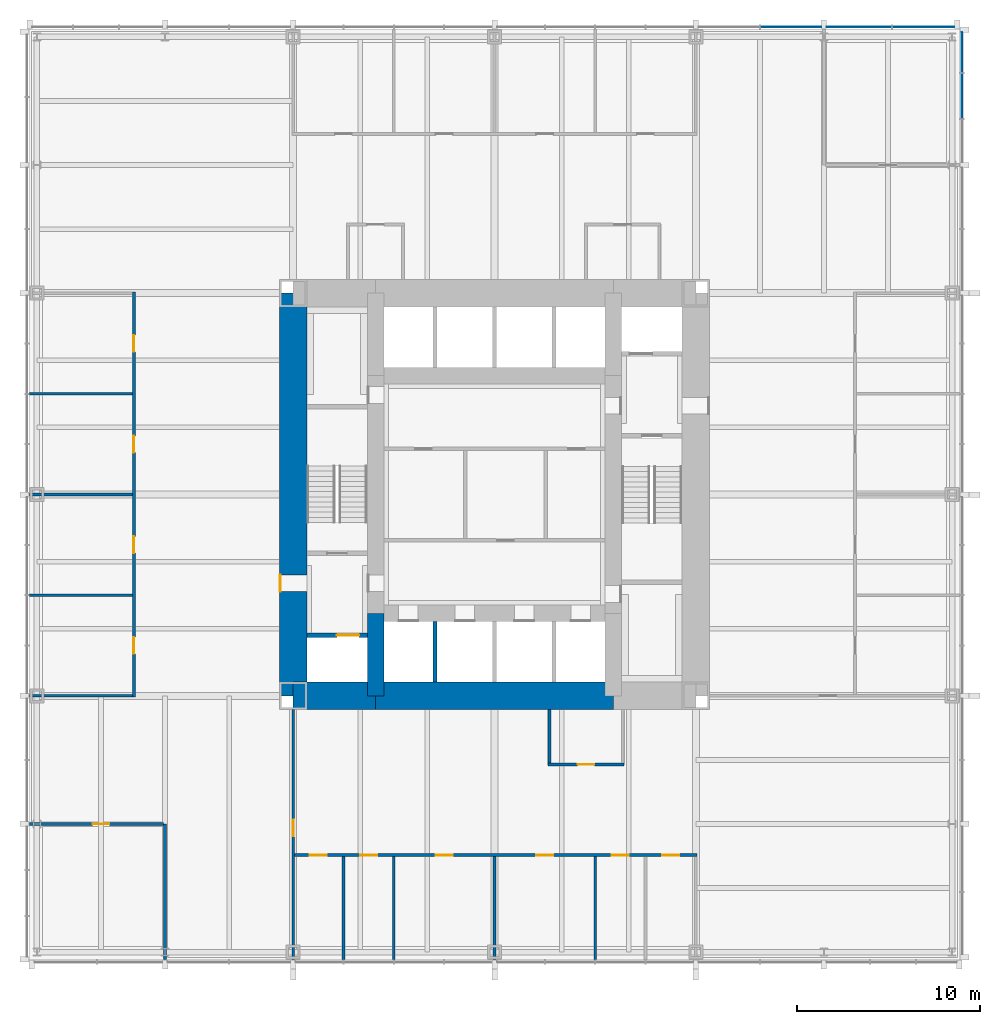
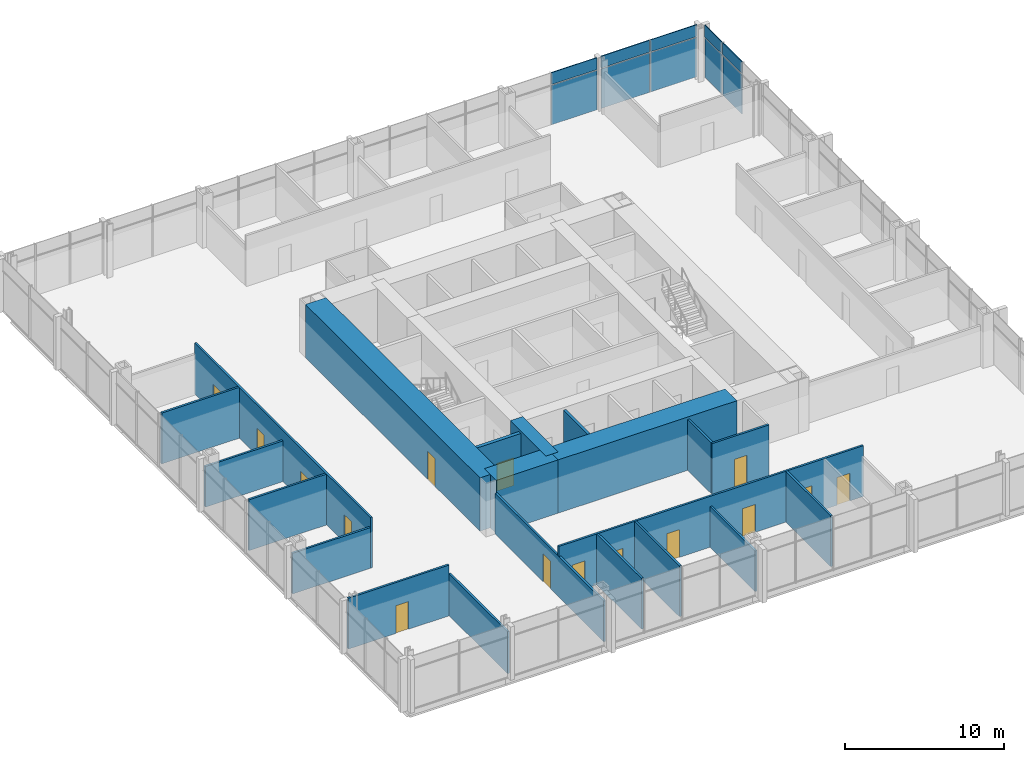
# One storey, part 9 of 12: 21 walls, 15 doors, 10 plates, 15 openings, 2 elements without a shape of their own.
"""IFC4 building model written with IfcOpenShell, lengths in metres."""

from ifc_helpers import new_model, si_unit, direction, frame, frame_2d, origin, origin_2d, place, context, subcontext, project, spatial, rectangle, extrude, material, layer, layer_set, type_object, element, fill, aggregate, save


model = new_model("IFC4")

# Units and contexts
model_context = context("Model", 3, precision=1e-05, world=origin(), true_north=direction((0.0, 1.0)))
body_context = subcontext(model_context, "Body", "Model", "MODEL_VIEW")
ifc_project = project(units=[si_unit("LENGTHUNIT", "METRE"), si_unit("AREAUNIT", "SQUARE_METRE"), si_unit("VOLUMEUNIT", "CUBIC_METRE"), si_unit("PLANEANGLEUNIT", "RADIAN"), si_unit("MASSUNIT", "GRAM", prefix="KILO")], contexts=[model_context])

# Site, building, storey
site_placement = place(None, origin())
site = spatial("IfcSite", under=ifc_project, at=site_placement, CompositionType="ELEMENT")
building_placement = place(site_placement, origin())
building = spatial("IfcBuilding", under=site, at=building_placement, Name="Trevanion Tower", CompositionType="ELEMENT")
storey_placement = place(building_placement, frame((0.0, 0.0, 77.5)))
storey = spatial("IfcBuildingStorey", under=building, at=storey_placement, Name="L18", CompositionType="ELEMENT", Elevation=77.5)

# Curtain wall, plates
ifc_material_1 = material(Name="Aluminium and glass", Category="aluminium")
curtain_wall_type = type_object("IfcCurtainWallType", Name="CW1 curtain wall", PredefinedType="USERDEFINED", material=ifc_material_1)
curtain_wall_1_placement = place(storey_placement, origin())
curtain_wall_1 = element("IfcCurtainWall", 1, at=curtain_wall_1_placement, inside=storey, type_object=curtain_wall_type, Name="CW1 L18 0", ObjectType="UNITISED CURTAIN WALL", PredefinedType="USERDEFINED")
ifc_material_2 = material(Name="Aluminium spandrel panel", Category="aluminium")
ifc_layer_1 = layer(ifc_material_2, 0.06005859375)
ifc_layer_set_1 = layer_set([ifc_layer_1], Name="CW1 spandrel panel")
plate_type_1 = type_object("IfcPlateType", Name="CW1 spandrel panel", PredefinedType="CURTAIN_PANEL", material=ifc_layer_set_1)
plate_1_placement = place(storey_placement, frame((25.550048828125, 21.77490234375, 2.997314453125), z_axis=(0.0, 0.0, 1.0), x_axis=(0.0, 1.0, 0.0)))
plate_1 = element("IfcPlate", 2, at=plate_1_placement, type_object=plate_type_1, Name="CW1 panel 16.2", PredefinedType="CURTAIN_PANEL", context=body_context, shape_type="SweptSolid", body=[
    extrude(rectangle(XDim=2.441650390625, YDim=0.06005859375, at=origin_2d()), origin(), (0.0, 0.0, 1.0), 0.91259765625),
])
plate_2_placement = place(storey_placement, frame((25.550048828125, 24.160400390625, 2.997314453125), z_axis=(0.0, 0.0, 1.0), x_axis=(0.0, 1.0, 0.0)))
plate_2 = element("IfcPlate", 3, at=plate_2_placement, type_object=plate_type_1, Name="CW1 panel 17.2", PredefinedType="CURTAIN_PANEL", context=body_context, shape_type="SweptSolid", body=[
    extrude(rectangle(XDim=2.17919921875, YDim=0.06005859375, at=origin_2d()), origin(), (0.0, 0.0, 1.0), 0.91259765625),
])

curtain_wall_2_placement = place(storey_placement, origin())
curtain_wall_2 = element("IfcCurtainWall", 4, at=curtain_wall_2_placement, inside=storey, type_object=curtain_wall_type, Name="CW1 L18 1", ObjectType="UNITISED CURTAIN WALL", PredefinedType="USERDEFINED")
plate_3_placement = place(storey_placement, frame((23.433837890625, 25.550048828125, 2.997314453125), z_axis=(0.0, 0.0, 1.0), x_axis=(-1.0, 0.0, 0.0)))
plate_3 = element("IfcPlate", 5, at=plate_3_placement, type_object=plate_type_1, Name="CW1 panel 1.2", PredefinedType="CURTAIN_PANEL", context=body_context, shape_type="SweptSolid", body=[
    extrude(rectangle(XDim=3.37255859375, YDim=0.06005859375, at=origin_2d()), origin(), (0.0, 0.0, 1.0), 0.91259765625),
])
plate_4_placement = place(storey_placement, frame((19.911376953125, 25.550048828125, 2.997314453125), z_axis=(0.0, 0.0, 1.0), x_axis=(-1.0, 0.0, 0.0)))
plate_4 = element("IfcPlate", 6, at=plate_4_placement, type_object=plate_type_1, Name="CW1 panel 2.2", PredefinedType="CURTAIN_PANEL", context=body_context, shape_type="SweptSolid", body=[
    extrude(rectangle(XDim=3.5224609375, YDim=0.06005859375, at=origin_2d()), origin(), (0.0, 0.0, 1.0), 0.91259765625),
])
plate_5_placement = place(storey_placement, frame((16.19384765625, 25.550048828125, 2.997314453125), z_axis=(0.0, 0.0, 1.0), x_axis=(-1.0, 0.0, 0.0)))
plate_5 = element("IfcPlate", 7, at=plate_5_placement, type_object=plate_type_1, Name="CW1 panel 3.2", PredefinedType="CURTAIN_PANEL", context=body_context, shape_type="SweptSolid", body=[
    extrude(rectangle(XDim=3.3125, YDim=0.06005859375, at=origin_2d()), origin(), (0.0, 0.0, 1.0), 0.91259765625),
])

# Plate
ifc_material_3 = material(Name="Insulating glass unit", Category="glass")
ifc_layer_2 = layer(ifc_material_3, 0.028076171875)
ifc_layer_set_2 = layer_set([ifc_layer_2], Name="CW1 vision panel")
plate_type_2 = type_object("IfcPlateType", Name="CW1 vision panel", PredefinedType="CURTAIN_PANEL", material=ifc_layer_set_2)
plate_6_placement = place(storey_placement, frame((25.550048828125, 21.77490234375, -0.114990234375), z_axis=(0.0, 0.0, 1.0), x_axis=(0.0, 1.0, 0.0)))
plate_6 = element("IfcPlate", 8, at=plate_6_placement, type_object=plate_type_2, Name="CW1 panel 16.1", PredefinedType="CURTAIN_PANEL", context=body_context, shape_type="SweptSolid", body=[
    extrude(rectangle(XDim=2.441650390625, YDim=0.028076171875, at=origin_2d()), origin(), (0.0, 0.0, 1.0), 3.03759765625),
])

plate_7_placement = place(storey_placement, frame((25.550048828125, 24.160400390625, -0.114990234375), z_axis=(0.0, 0.0, 1.0), x_axis=(0.0, 1.0, 0.0)))
plate_7 = element("IfcPlate", 9, at=plate_7_placement, type_object=plate_type_2, Name="CW1 panel 17.1", PredefinedType="CURTAIN_PANEL", context=body_context, shape_type="SweptSolid", body=[
    extrude(rectangle(XDim=2.17919921875, YDim=0.028076171875, at=origin_2d()), origin(), (0.0, 0.0, 1.0), 3.03759765625),
])

aggregate(curtain_wall_1, [plate_6, plate_1, plate_7, plate_2])

plate_8_placement = place(storey_placement, frame((23.433837890625, 25.550048828125, -0.114990234375), z_axis=(0.0, 0.0, 1.0), x_axis=(-1.0, 0.0, 0.0)))
plate_8 = element("IfcPlate", 10, at=plate_8_placement, type_object=plate_type_2, Name="CW1 panel 1.1", PredefinedType="CURTAIN_PANEL", context=body_context, shape_type="SweptSolid", body=[
    extrude(rectangle(XDim=3.37255859375, YDim=0.028076171875, at=origin_2d()), origin(), (0.0, 0.0, 1.0), 3.03759765625),
])

plate_9_placement = place(storey_placement, frame((19.911376953125, 25.550048828125, -0.114990234375), z_axis=(0.0, 0.0, 1.0), x_axis=(-1.0, 0.0, 0.0)))
plate_9 = element("IfcPlate", 11, at=plate_9_placement, type_object=plate_type_2, Name="CW1 panel 2.1", PredefinedType="CURTAIN_PANEL", context=body_context, shape_type="SweptSolid", body=[
    extrude(rectangle(XDim=3.5224609375, YDim=0.028076171875, at=origin_2d()), origin(), (0.0, 0.0, 1.0), 3.03759765625),
])

plate_10_placement = place(storey_placement, frame((16.19384765625, 25.550048828125, -0.114990234375), z_axis=(0.0, 0.0, 1.0), x_axis=(-1.0, 0.0, 0.0)))
plate_10 = element("IfcPlate", 12, at=plate_10_placement, type_object=plate_type_2, Name="CW1 panel 3.1", PredefinedType="CURTAIN_PANEL", context=body_context, shape_type="SweptSolid", body=[
    extrude(rectangle(XDim=3.3125, YDim=0.028076171875, at=origin_2d()), origin(), (0.0, 0.0, 1.0), 3.03759765625),
])

aggregate(curtain_wall_2, [plate_8, plate_3, plate_9, plate_4, plate_10, plate_5])

# Wall, opening, door
ifc_material_4 = material(Name="Concrete 10,000 psi", Category="concrete")
ifc_layer_3 = layer(ifc_material_4, 1.5)
ifc_layer_set_3 = layer_set([ifc_layer_3], Name="CW1 core wall 1500")
wall_type_1 = type_object("IfcWallType", Name="CW1 core wall 1500", PredefinedType="SHEAR", material=ifc_layer_set_3)
wall_1_placement = place(storey_placement, frame((-11.0, 11.0, 0.0), z_axis=(0.0, 0.0, 1.0), x_axis=(0.0, -1.0, 0.0)))
wall_1 = element("IfcWall", 13, at=wall_1_placement, inside=storey, type_object=wall_type_1, Name="CW1 CW L18", PredefinedType="SHEAR", context=body_context, shape_type="SweptSolid", body=[
    extrude(rectangle(XDim=22.0, YDim=1.5, at=frame_2d((11.0, 0.0))), origin(), (0.0, 0.0, 1.0), 4.10009765625),
])
opening_1_placement = place(wall_1_placement, frame((15.392578125, 0.0, 0.0)))
opening_1 = element("IfcOpeningElement", 14, at=opening_1_placement, cuts=wall_1, Name="Opening 18-002", PredefinedType="OPENING", context=body_context, shape_type="SweptSolid", body=[
    extrude(rectangle(XDim=0.9150390625, YDim=2.134033203125, at=frame_2d((0.45751953125, 1.06689453125))), frame((0.0, 0.760009765625, 0.0), z_axis=(0.0, -1.0, 0.0), x_axis=(1.0, 0.0, 0.0)), (0.0, 0.0, 1.0), 1.52001953125),
])
ifc_material_5 = material(Name="Hollow metal, fire rated", Category="steel")
door_type_1 = type_object("IfcDoorType", Name="D3 fire lift lobby door", OperationType="SINGLE_SWING_RIGHT", PredefinedType="DOOR", material=ifc_material_5)
door_1_placement = place(opening_1_placement, origin())
door_1 = element("IfcDoor", 15, at=door_1_placement, inside=storey, type_object=door_type_1, Name="Door 18-002", OperationType="SINGLE_SWING_RIGHT", OverallHeight=2.134033203125, OverallWidth=0.9150390625, PredefinedType="DOOR", context=body_context, shape_type="SweptSolid", body=[
    extrude(rectangle(XDim=0.9150390625, YDim=2.134033203125, at=frame_2d((0.45751953125, 1.06689453125))), frame((0.0, -0.6748046875, 0.0), z_axis=(0.0, -1.0, 0.0), x_axis=(1.0, 0.0, 0.0)), (0.0, 0.0, 1.0), 0.050048828125),
])
fill(opening_1, door_1)

# Walls
wall_2_placement = place(storey_placement, frame((-11.0, -11.0, 0.0), z_axis=(0.0, 0.0, 1.0), x_axis=(1.0, 0.0, 0.0)))
element("IfcWall", 16, at=wall_2_placement, inside=storey, type_object=wall_type_1, Name="CW1 CS1 L18", PredefinedType="SHEAR", context=body_context, shape_type="SweptSolid", body=[
    extrude(rectangle(XDim=4.5, YDim=1.5, at=frame_2d((2.25, 0.0))), origin(), (0.0, 0.0, 1.0), 4.10009765625),
])
wall_3_placement = place(storey_placement, frame((-6.5, -11.0, 0.0), z_axis=(0.0, 0.0, 1.0), x_axis=(1.0, 0.0, 0.0)))
element("IfcWall", 17, at=wall_3_placement, inside=storey, type_object=wall_type_1, Name="CW1 CS2 L18", PredefinedType="SHEAR", context=body_context, shape_type="SweptSolid", body=[
    extrude(rectangle(XDim=13.0, YDim=1.5, at=frame_2d((6.5, 0.0))), origin(), (0.0, 0.0, 1.0), 4.10009765625),
])
ifc_material_6 = material(Name="Concrete 10,000 psi", Category="concrete")
ifc_layer_4 = layer(ifc_material_6, 0.89990234375)
ifc_layer_set_4 = layer_set([ifc_layer_4], Name="CW2 core wall 900")
wall_type_2 = type_object("IfcWallType", Name="CW2 core wall 900", PredefinedType="SHEAR", material=ifc_layer_set_4)
wall_4_placement = place(storey_placement, frame((-6.5, -6.5, 0.0), z_axis=(0.0, 0.0, 1.0), x_axis=(0.0, -1.0, 0.0)))
element("IfcWall", 18, at=wall_4_placement, inside=storey, type_object=wall_type_2, Name="CW2 RW3 L18", PredefinedType="SHEAR", context=body_context, shape_type="SweptSolid", body=[
    extrude(rectangle(XDim=4.5, YDim=0.89990234375, at=frame_2d((2.25, 0.0))), origin(), (0.0, 0.0, 1.0), 4.10009765625),
])

# Wall, opening, door
ifc_material_7 = material(Name="Gypsum board on steel studs", Category="steel")
ifc_layer_5 = layer(ifc_material_7, 0.14990234375)
ifc_layer_set_5 = layer_set([ifc_layer_5], Name="PT1 partition 150")
wall_type_3 = type_object("IfcWallType", Name="PT1 partition 150", PredefinedType="PARTITIONING", material=ifc_layer_set_5)
wall_5_placement = place(storey_placement, frame((-11.0, -11.75, 0.0), z_axis=(0.0, 0.0, 1.0), x_axis=(0.0, -1.0, 0.0)))
wall_5 = element("IfcWall", 19, at=wall_5_placement, inside=storey, type_object=wall_type_3, Name="PT1 L18 ZW2", PredefinedType="PARTITIONING", context=body_context, shape_type="SweptSolid", body=[
    extrude(rectangle(XDim=13.6650390625, YDim=0.14990234375, at=frame_2d((6.83251953125, 0.0))), origin(), (0.0, 0.0, 1.0), 3.130126953125),
])
opening_2_placement = place(wall_5_placement, frame((6.017578125, 0.0, 0.0)))
opening_2 = element("IfcOpeningElement", 20, at=opening_2_placement, cuts=wall_5, Name="Opening 18-018", PredefinedType="OPENING", context=body_context, shape_type="SweptSolid", body=[
    extrude(rectangle(XDim=0.9150390625, YDim=2.134033203125, at=frame_2d((0.45751953125, 1.06689453125))), frame((0.0, 0.0849609375, 0.0), z_axis=(0.0, -1.0, 0.0), x_axis=(1.0, 0.0, 0.0)), (0.0, 0.0, 1.0), 0.169921875),
])
ifc_material_8 = material(Name="Timber veneer, solid core", Category="wood")
door_type_2 = type_object("IfcDoorType", Name="D1 office and meeting room door", OperationType="SINGLE_SWING_LEFT", PredefinedType="DOOR", material=ifc_material_8)
door_2_placement = place(opening_2_placement, origin())
door_2 = element("IfcDoor", 21, at=door_2_placement, inside=storey, type_object=door_type_2, Name="Door 18-018", OperationType="SINGLE_SWING_LEFT", OverallHeight=2.134033203125, OverallWidth=0.9150390625, PredefinedType="DOOR", context=body_context, shape_type="SweptSolid", body=[
    extrude(rectangle(XDim=0.9150390625, YDim=2.134033203125, at=frame_2d((0.45751953125, 1.06689453125))), frame((0.0, 0.02490234375, 0.0), z_axis=(0.0, -1.0, 0.0), x_axis=(1.0, 0.0, 0.0)), (0.0, 0.0, 1.0), 0.050048828125),
])
fill(opening_2, door_2)

# Wall
wall_6_placement = place(storey_placement, frame((-18.0, -18.0, 0.0), z_axis=(0.0, 0.0, 1.0), x_axis=(0.0, -1.0, 0.0)))
element("IfcWall", 22, at=wall_6_placement, inside=storey, type_object=wall_type_3, Name="PT1 L18 KW2a", PredefinedType="PARTITIONING", context=body_context, shape_type="SweptSolid", body=[
    extrude(rectangle(XDim=7.4150390625, YDim=0.14990234375, at=frame_2d((3.70751953125, 0.0))), origin(), (0.0, 0.0, 1.0), 3.216552734375),
])

# Wall, opening, door
wall_7_placement = place(storey_placement, frame((-18.074951171875, -18.0, 0.0), z_axis=(0.0, 0.0, 1.0), x_axis=(-1.0, 0.0, 0.0)))
wall_7 = element("IfcWall", 23, at=wall_7_placement, inside=storey, type_object=wall_type_3, Name="PT1 L18 KW2b", PredefinedType="PARTITIONING", context=body_context, shape_type="SweptSolid", body=[
    extrude(rectangle(XDim=7.340087890625, YDim=0.14990234375, at=frame_2d((3.669921875, 0.0))), origin(), (0.0, 0.0, 1.0), 3.909912109375),
])
opening_3_placement = place(wall_7_placement, frame((2.967529296875, 0.0, 0.0)))
opening_3 = element("IfcOpeningElement", 24, at=opening_3_placement, cuts=wall_7, Name="Opening 18-021", PredefinedType="OPENING", context=body_context, shape_type="SweptSolid", body=[
    extrude(rectangle(XDim=0.9150390625, YDim=2.134033203125, at=frame_2d((0.45751953125, 1.06689453125))), frame((0.0, 0.0849609375, 0.0), z_axis=(0.0, -1.0, 0.0), x_axis=(1.0, 0.0, 0.0)), (0.0, 0.0, 1.0), 0.169921875),
])
door_3_placement = place(opening_3_placement, origin())
door_3 = element("IfcDoor", 25, at=door_3_placement, inside=storey, type_object=door_type_2, Name="Door 18-021", OperationType="SINGLE_SWING_LEFT", OverallHeight=2.134033203125, OverallWidth=0.9150390625, PredefinedType="DOOR", context=body_context, shape_type="SweptSolid", body=[
    extrude(rectangle(XDim=0.9150390625, YDim=2.134033203125, at=frame_2d((0.45751953125, 1.06689453125))), frame((0.0, 0.02490234375, 0.0), z_axis=(0.0, -1.0, 0.0), x_axis=(1.0, 0.0, 0.0)), (0.0, 0.0, 1.0), 0.050048828125),
])
fill(opening_3, door_3)

# Wall, openings, doors
wall_8_placement = place(storey_placement, frame((-11.074951171875, -19.699951171875, 0.0), z_axis=(0.0, 0.0, 1.0), x_axis=(1.0, 0.0, 0.0)))
wall_8 = element("IfcWall", 26, at=wall_8_placement, inside=storey, type_object=wall_type_3, Name="PT1 L18 FC3F", PredefinedType="PARTITIONING", context=body_context, shape_type="SweptSolid", body=[
    extrude(rectangle(XDim=22.14990234375, YDim=0.14990234375, at=frame_2d((11.074951171875, 0.0))), origin(), (0.0, 0.0, 1.0), 3.909912109375),
])
opening_4_placement = place(wall_8_placement, frame((0.992431640625, 0.0, 0.0)))
opening_4 = element("IfcOpeningElement", 27, at=opening_4_placement, cuts=wall_8, Name="Opening 18-026", PredefinedType="OPENING", context=body_context, shape_type="SweptSolid", body=[
    extrude(rectangle(XDim=0.9150390625, YDim=2.134033203125, at=frame_2d((0.45751953125, 1.06689453125))), frame((0.0, 0.0849609375, 0.0), z_axis=(0.0, -1.0, 0.0), x_axis=(1.0, 0.0, 0.0)), (0.0, 0.0, 1.0), 0.169921875),
])
opening_5_placement = place(wall_8_placement, frame((3.742431640625, 0.0, 0.0)))
opening_5 = element("IfcOpeningElement", 28, at=opening_5_placement, cuts=wall_8, Name="Opening 18-027", PredefinedType="OPENING", context=body_context, shape_type="SweptSolid", body=[
    extrude(rectangle(XDim=0.9150390625, YDim=2.134033203125, at=frame_2d((0.45751953125, 1.06689453125))), frame((0.0, 0.0849609375, 0.0), z_axis=(0.0, -1.0, 0.0), x_axis=(1.0, 0.0, 0.0)), (0.0, 0.0, 1.0), 0.169921875),
])
opening_6_placement = place(wall_8_placement, frame((7.867431640625, 0.0, 0.0)))
opening_6 = element("IfcOpeningElement", 29, at=opening_6_placement, cuts=wall_8, Name="Opening 18-028", PredefinedType="OPENING", context=body_context, shape_type="SweptSolid", body=[
    extrude(rectangle(XDim=0.9150390625, YDim=2.134033203125, at=frame_2d((0.45751953125, 1.06689453125))), frame((0.0, 0.0849609375, 0.0), z_axis=(0.0, -1.0, 0.0), x_axis=(1.0, 0.0, 0.0)), (0.0, 0.0, 1.0), 0.169921875),
])
opening_7_placement = place(wall_8_placement, frame((13.367431640625, 0.0, 0.0)))
opening_7 = element("IfcOpeningElement", 30, at=opening_7_placement, cuts=wall_8, Name="Opening 18-029", PredefinedType="OPENING", context=body_context, shape_type="SweptSolid", body=[
    extrude(rectangle(XDim=0.9150390625, YDim=2.134033203125, at=frame_2d((0.45751953125, 1.06689453125))), frame((0.0, 0.0849609375, 0.0), z_axis=(0.0, -1.0, 0.0), x_axis=(1.0, 0.0, 0.0)), (0.0, 0.0, 1.0), 0.169921875),
])
opening_8_placement = place(wall_8_placement, frame((17.492431640625, 0.0, 0.0)))
opening_8 = element("IfcOpeningElement", 31, at=opening_8_placement, cuts=wall_8, Name="Opening 18-030", PredefinedType="OPENING", context=body_context, shape_type="SweptSolid", body=[
    extrude(rectangle(XDim=0.9150390625, YDim=2.134033203125, at=frame_2d((0.45751953125, 1.06689453125))), frame((0.0, 0.0849609375, 0.0), z_axis=(0.0, -1.0, 0.0), x_axis=(1.0, 0.0, 0.0)), (0.0, 0.0, 1.0), 0.169921875),
])
opening_9_placement = place(wall_8_placement, frame((20.242431640625, 0.0, 0.0)))
opening_9 = element("IfcOpeningElement", 32, at=opening_9_placement, cuts=wall_8, Name="Opening 18-031", PredefinedType="OPENING", context=body_context, shape_type="SweptSolid", body=[
    extrude(rectangle(XDim=0.9150390625, YDim=2.134033203125, at=frame_2d((0.45751953125, 1.06689453125))), frame((0.0, 0.0849609375, 0.0), z_axis=(0.0, -1.0, 0.0), x_axis=(1.0, 0.0, 0.0)), (0.0, 0.0, 1.0), 0.169921875),
])
door_4_placement = place(opening_4_placement, origin())
door_4 = element("IfcDoor", 33, at=door_4_placement, inside=storey, type_object=door_type_2, Name="Door 18-026", OperationType="SINGLE_SWING_LEFT", OverallHeight=2.134033203125, OverallWidth=0.9150390625, PredefinedType="DOOR", context=body_context, shape_type="SweptSolid", body=[
    extrude(rectangle(XDim=0.9150390625, YDim=2.134033203125, at=frame_2d((0.45751953125, 1.06689453125))), frame((0.0, 0.02490234375, 0.0), z_axis=(0.0, -1.0, 0.0), x_axis=(1.0, 0.0, 0.0)), (0.0, 0.0, 1.0), 0.050048828125),
])
fill(opening_4, door_4)
door_5_placement = place(opening_5_placement, origin())
door_5 = element("IfcDoor", 34, at=door_5_placement, inside=storey, type_object=door_type_2, Name="Door 18-027", OperationType="SINGLE_SWING_LEFT", OverallHeight=2.134033203125, OverallWidth=0.9150390625, PredefinedType="DOOR", context=body_context, shape_type="SweptSolid", body=[
    extrude(rectangle(XDim=0.9150390625, YDim=2.134033203125, at=frame_2d((0.45751953125, 1.06689453125))), frame((0.0, 0.02490234375, 0.0), z_axis=(0.0, -1.0, 0.0), x_axis=(1.0, 0.0, 0.0)), (0.0, 0.0, 1.0), 0.050048828125),
])
fill(opening_5, door_5)
door_6_placement = place(opening_6_placement, origin())
door_6 = element("IfcDoor", 35, at=door_6_placement, inside=storey, type_object=door_type_2, Name="Door 18-028", OperationType="SINGLE_SWING_LEFT", OverallHeight=2.134033203125, OverallWidth=0.9150390625, PredefinedType="DOOR", context=body_context, shape_type="SweptSolid", body=[
    extrude(rectangle(XDim=0.9150390625, YDim=2.134033203125, at=frame_2d((0.45751953125, 1.06689453125))), frame((0.0, 0.02490234375, 0.0), z_axis=(0.0, -1.0, 0.0), x_axis=(1.0, 0.0, 0.0)), (0.0, 0.0, 1.0), 0.050048828125),
])
fill(opening_6, door_6)
door_7_placement = place(opening_7_placement, origin())
door_7 = element("IfcDoor", 36, at=door_7_placement, inside=storey, type_object=door_type_2, Name="Door 18-029", OperationType="SINGLE_SWING_LEFT", OverallHeight=2.134033203125, OverallWidth=0.9150390625, PredefinedType="DOOR", context=body_context, shape_type="SweptSolid", body=[
    extrude(rectangle(XDim=0.9150390625, YDim=2.134033203125, at=frame_2d((0.45751953125, 1.06689453125))), frame((0.0, 0.02490234375, 0.0), z_axis=(0.0, -1.0, 0.0), x_axis=(1.0, 0.0, 0.0)), (0.0, 0.0, 1.0), 0.050048828125),
])
fill(opening_7, door_7)
door_8_placement = place(opening_8_placement, origin())
door_8 = element("IfcDoor", 37, at=door_8_placement, inside=storey, type_object=door_type_2, Name="Door 18-030", OperationType="SINGLE_SWING_LEFT", OverallHeight=2.134033203125, OverallWidth=0.9150390625, PredefinedType="DOOR", context=body_context, shape_type="SweptSolid", body=[
    extrude(rectangle(XDim=0.9150390625, YDim=2.134033203125, at=frame_2d((0.45751953125, 1.06689453125))), frame((0.0, 0.02490234375, 0.0), z_axis=(0.0, -1.0, 0.0), x_axis=(1.0, 0.0, 0.0)), (0.0, 0.0, 1.0), 0.050048828125),
])
fill(opening_8, door_8)
door_9_placement = place(opening_9_placement, origin())
door_9 = element("IfcDoor", 38, at=door_9_placement, inside=storey, type_object=door_type_2, Name="Door 18-031", OperationType="SINGLE_SWING_LEFT", OverallHeight=2.134033203125, OverallWidth=0.9150390625, PredefinedType="DOOR", context=body_context, shape_type="SweptSolid", body=[
    extrude(rectangle(XDim=0.9150390625, YDim=2.134033203125, at=frame_2d((0.45751953125, 1.06689453125))), frame((0.0, 0.02490234375, 0.0), z_axis=(0.0, -1.0, 0.0), x_axis=(1.0, 0.0, 0.0)), (0.0, 0.0, 1.0), 0.050048828125),
])
fill(opening_9, door_9)

# Walls
for number, where, z_axis, x_axis, name in (
    (39, (-8.25, -19.77490234375, 0.0), (0.0, 0.0, 1.0), (0.0, -1.0, 0.0), "PT1 L18 FC3S1"),
    (40, (-5.5, -19.77490234375, 0.0), (0.0, 0.0, 1.0), (0.0, -1.0, 0.0), "PT1 L18 FC3S2"),
):
    element("IfcWall", number, at=place(storey_placement, frame(where, z_axis=z_axis, x_axis=x_axis)), inside=storey, type_object=wall_type_3, Name=name, PredefinedType="PARTITIONING", context=body_context, shape_type="SweptSolid", body=[
        extrude(rectangle(XDim=5.64013671875, YDim=0.14990234375, at=frame_2d((2.820068359375, 0.0))), origin(), (0.0, 0.0, 1.0), 3.909912109375),
    ])
wall_9_placement = place(storey_placement, frame((0.0, -19.77490234375, 0.0), z_axis=(0.0, 0.0, 1.0), x_axis=(0.0, -1.0, 0.0)))
element("IfcWall", 41, at=wall_9_placement, inside=storey, type_object=wall_type_3, Name="PT1 L18 FC3S4", PredefinedType="PARTITIONING", context=body_context, shape_type="SweptSolid", body=[
    extrude(rectangle(XDim=5.64013671875, YDim=0.14990234375, at=frame_2d((2.820068359375, 0.0))), origin(), (0.0, 0.0, 1.0), 3.130126953125),
])
wall_10_placement = place(storey_placement, frame((5.5, -19.77490234375, 0.0), z_axis=(0.0, 0.0, 1.0), x_axis=(0.0, -1.0, 0.0)))
element("IfcWall", 42, at=wall_10_placement, inside=storey, type_object=wall_type_3, Name="PT1 L18 FC3S6", PredefinedType="PARTITIONING", context=body_context, shape_type="SweptSolid", body=[
    extrude(rectangle(XDim=5.64013671875, YDim=0.14990234375, at=frame_2d((2.820068359375, 0.0))), origin(), (0.0, 0.0, 1.0), 3.909912109375),
])

# Wall, openings, doors
wall_11_placement = place(storey_placement, frame((-19.699951171875, 11.074951171875, 0.0), z_axis=(0.0, 0.0, 1.0), x_axis=(0.0, -1.0, 0.0)))
wall_11 = element("IfcWall", 43, at=wall_11_placement, inside=storey, type_object=wall_type_3, Name="PT1 L18 FC2F", PredefinedType="PARTITIONING", context=body_context, shape_type="SweptSolid", body=[
    extrude(rectangle(XDim=22.14990234375, YDim=0.14990234375, at=frame_2d((11.074951171875, 0.0))), origin(), (0.0, 0.0, 1.0), 3.909912109375),
])
opening_10_placement = place(wall_11_placement, frame((2.367431640625, 0.0, 0.0)))
opening_10 = element("IfcOpeningElement", 44, at=opening_10_placement, cuts=wall_11, Name="Opening 18-036", PredefinedType="OPENING", context=body_context, shape_type="SweptSolid", body=[
    extrude(rectangle(XDim=0.9150390625, YDim=2.134033203125, at=frame_2d((0.45751953125, 1.06689453125))), frame((0.0, 0.0849609375, 0.0), z_axis=(0.0, -1.0, 0.0), x_axis=(1.0, 0.0, 0.0)), (0.0, 0.0, 1.0), 0.169921875),
])
opening_11_placement = place(wall_11_placement, frame((7.867431640625, 0.0, 0.0)))
opening_11 = element("IfcOpeningElement", 45, at=opening_11_placement, cuts=wall_11, Name="Opening 18-037", PredefinedType="OPENING", context=body_context, shape_type="SweptSolid", body=[
    extrude(rectangle(XDim=0.9150390625, YDim=2.134033203125, at=frame_2d((0.45751953125, 1.06689453125))), frame((0.0, 0.0849609375, 0.0), z_axis=(0.0, -1.0, 0.0), x_axis=(1.0, 0.0, 0.0)), (0.0, 0.0, 1.0), 0.169921875),
])
opening_12_placement = place(wall_11_placement, frame((13.367431640625, 0.0, 0.0)))
opening_12 = element("IfcOpeningElement", 46, at=opening_12_placement, cuts=wall_11, Name="Opening 18-038", PredefinedType="OPENING", context=body_context, shape_type="SweptSolid", body=[
    extrude(rectangle(XDim=0.9150390625, YDim=2.134033203125, at=frame_2d((0.45751953125, 1.06689453125))), frame((0.0, 0.0849609375, 0.0), z_axis=(0.0, -1.0, 0.0), x_axis=(1.0, 0.0, 0.0)), (0.0, 0.0, 1.0), 0.169921875),
])
opening_13_placement = place(wall_11_placement, frame((18.867431640625, 0.0, 0.0)))
opening_13 = element("IfcOpeningElement", 47, at=opening_13_placement, cuts=wall_11, Name="Opening 18-039", PredefinedType="OPENING", context=body_context, shape_type="SweptSolid", body=[
    extrude(rectangle(XDim=0.9150390625, YDim=2.134033203125, at=frame_2d((0.45751953125, 1.06689453125))), frame((0.0, 0.0849609375, 0.0), z_axis=(0.0, -1.0, 0.0), x_axis=(1.0, 0.0, 0.0)), (0.0, 0.0, 1.0), 0.169921875),
])
door_10_placement = place(opening_10_placement, origin())
door_10 = element("IfcDoor", 48, at=door_10_placement, inside=storey, type_object=door_type_2, Name="Door 18-036", OperationType="SINGLE_SWING_LEFT", OverallHeight=2.134033203125, OverallWidth=0.9150390625, PredefinedType="DOOR", context=body_context, shape_type="SweptSolid", body=[
    extrude(rectangle(XDim=0.9150390625, YDim=2.134033203125, at=frame_2d((0.45751953125, 1.06689453125))), frame((0.0, 0.02490234375, 0.0), z_axis=(0.0, -1.0, 0.0), x_axis=(1.0, 0.0, 0.0)), (0.0, 0.0, 1.0), 0.050048828125),
])
fill(opening_10, door_10)
door_11_placement = place(opening_11_placement, origin())
door_11 = element("IfcDoor", 49, at=door_11_placement, inside=storey, type_object=door_type_2, Name="Door 18-037", OperationType="SINGLE_SWING_LEFT", OverallHeight=2.134033203125, OverallWidth=0.9150390625, PredefinedType="DOOR", context=body_context, shape_type="SweptSolid", body=[
    extrude(rectangle(XDim=0.9150390625, YDim=2.134033203125, at=frame_2d((0.45751953125, 1.06689453125))), frame((0.0, 0.02490234375, 0.0), z_axis=(0.0, -1.0, 0.0), x_axis=(1.0, 0.0, 0.0)), (0.0, 0.0, 1.0), 0.050048828125),
])
fill(opening_11, door_11)
door_12_placement = place(opening_12_placement, origin())
door_12 = element("IfcDoor", 50, at=door_12_placement, inside=storey, type_object=door_type_2, Name="Door 18-038", OperationType="SINGLE_SWING_LEFT", OverallHeight=2.134033203125, OverallWidth=0.9150390625, PredefinedType="DOOR", context=body_context, shape_type="SweptSolid", body=[
    extrude(rectangle(XDim=0.9150390625, YDim=2.134033203125, at=frame_2d((0.45751953125, 1.06689453125))), frame((0.0, 0.02490234375, 0.0), z_axis=(0.0, -1.0, 0.0), x_axis=(1.0, 0.0, 0.0)), (0.0, 0.0, 1.0), 0.050048828125),
])
fill(opening_12, door_12)
door_13_placement = place(opening_13_placement, origin())
door_13 = element("IfcDoor", 51, at=door_13_placement, inside=storey, type_object=door_type_2, Name="Door 18-039", OperationType="SINGLE_SWING_LEFT", OverallHeight=2.134033203125, OverallWidth=0.9150390625, PredefinedType="DOOR", context=body_context, shape_type="SweptSolid", body=[
    extrude(rectangle(XDim=0.9150390625, YDim=2.134033203125, at=frame_2d((0.45751953125, 1.06689453125))), frame((0.0, 0.02490234375, 0.0), z_axis=(0.0, -1.0, 0.0), x_axis=(1.0, 0.0, 0.0)), (0.0, 0.0, 1.0), 0.050048828125),
])
fill(opening_13, door_13)

# Walls
wall_12_placement = place(storey_placement, frame((-19.77490234375, 5.5, 0.0), z_axis=(0.0, 0.0, 1.0), x_axis=(-1.0, 0.0, 0.0)))
element("IfcWall", 52, at=wall_12_placement, inside=storey, type_object=wall_type_3, Name="PT1 L18 FC2S2", PredefinedType="PARTITIONING", context=body_context, shape_type="SweptSolid", body=[
    extrude(rectangle(XDim=5.64013671875, YDim=0.14990234375, at=frame_2d((2.820068359375, 0.0))), origin(), (0.0, 0.0, 1.0), 3.909912109375),
])
wall_13_placement = place(storey_placement, frame((-19.77490234375, 0.0, 0.0), z_axis=(0.0, 0.0, 1.0), x_axis=(-1.0, 0.0, 0.0)))
element("IfcWall", 53, at=wall_13_placement, inside=storey, type_object=wall_type_3, Name="PT1 L18 FC2S4", PredefinedType="PARTITIONING", context=body_context, shape_type="SweptSolid", body=[
    extrude(rectangle(XDim=5.64013671875, YDim=0.14990234375, at=frame_2d((2.820068359375, 0.0))), origin(), (0.0, 0.0, 1.0), 3.130126953125),
])
wall_14_placement = place(storey_placement, frame((-19.77490234375, -5.5, 0.0), z_axis=(0.0, 0.0, 1.0), x_axis=(-1.0, 0.0, 0.0)))
element("IfcWall", 54, at=wall_14_placement, inside=storey, type_object=wall_type_3, Name="PT1 L18 FC2S6", PredefinedType="PARTITIONING", context=body_context, shape_type="SweptSolid", body=[
    extrude(rectangle(XDim=5.64013671875, YDim=0.14990234375, at=frame_2d((2.820068359375, 0.0))), origin(), (0.0, 0.0, 1.0), 3.909912109375),
])
wall_15_placement = place(storey_placement, frame((-19.77490234375, -11.0, 0.0), z_axis=(0.0, 0.0, 1.0), x_axis=(-1.0, 0.0, 0.0)))
element("IfcWall", 55, at=wall_15_placement, inside=storey, type_object=wall_type_3, Name="PT1 L18 FC2S8", PredefinedType="PARTITIONING", context=body_context, shape_type="SweptSolid", body=[
    extrude(rectangle(XDim=5.64013671875, YDim=0.14990234375, at=frame_2d((2.820068359375, 0.0))), origin(), (0.0, 0.0, 1.0), 3.130126953125),
])

# Wall, opening, door
wall_16_placement = place(storey_placement, frame((2.925048828125, -14.75, 0.0), z_axis=(0.0, 0.0, 1.0), x_axis=(1.0, 0.0, 0.0)))
wall_16 = element("IfcWall", 56, at=wall_16_placement, inside=storey, type_object=wall_type_3, Name="PT1 L18 IN30F", PredefinedType="PARTITIONING", context=body_context, shape_type="SweptSolid", body=[
    extrude(rectangle(XDim=4.14990234375, YDim=0.14990234375, at=frame_2d((2.074951171875, 0.0))), origin(), (0.0, 0.0, 1.0), 3.909912109375),
])
opening_14_placement = place(wall_16_placement, frame((1.617431640625, 0.0, 0.0)))
opening_14 = element("IfcOpeningElement", 57, at=opening_14_placement, cuts=wall_16, Name="Opening 18-042", PredefinedType="OPENING", context=body_context, shape_type="SweptSolid", body=[
    extrude(rectangle(XDim=0.9150390625, YDim=2.134033203125, at=frame_2d((0.45751953125, 1.06689453125))), frame((0.0, 0.0849609375, 0.0), z_axis=(0.0, -1.0, 0.0), x_axis=(1.0, 0.0, 0.0)), (0.0, 0.0, 1.0), 0.169921875),
])
door_14_placement = place(opening_14_placement, origin())
door_14 = element("IfcDoor", 58, at=door_14_placement, inside=storey, type_object=door_type_2, Name="Door 18-042", OperationType="SINGLE_SWING_LEFT", OverallHeight=2.134033203125, OverallWidth=0.9150390625, PredefinedType="DOOR", context=body_context, shape_type="SweptSolid", body=[
    extrude(rectangle(XDim=0.9150390625, YDim=2.134033203125, at=frame_2d((0.45751953125, 1.06689453125))), frame((0.0, 0.02490234375, 0.0), z_axis=(0.0, -1.0, 0.0), x_axis=(1.0, 0.0, 0.0)), (0.0, 0.0, 1.0), 0.050048828125),
])
fill(opening_14, door_14)

# Walls
wall_17_placement = place(storey_placement, frame((3.0, -14.675048828125, 0.0), z_axis=(0.0, 0.0, 1.0), x_axis=(0.0, 1.0, 0.0)))
element("IfcWall", 59, at=wall_17_placement, inside=storey, type_object=wall_type_3, Name="PT1 L18 IN30S0", PredefinedType="PARTITIONING", context=body_context, shape_type="SweptSolid", body=[
    extrude(rectangle(XDim=2.925048828125, YDim=0.14990234375, at=frame_2d((1.46240234375, 0.0))), origin(), (0.0, 0.0, 1.0), 3.909912109375),
])
ifc_material_9 = material(Name="Concrete masonry, grouted", Category="masonry")
ifc_layer_6 = layer(ifc_material_9, 0.199951171875)
ifc_layer_set_6 = layer_set([ifc_layer_6], Name="PT2 partition 200 2 HR")
wall_type_4 = type_object("IfcWallType", Name="PT2 partition 200 2 HR", PredefinedType="PARTITIONING", material=ifc_layer_set_6)
wall_18_placement = place(storey_placement, frame((-3.25, -10.25, 0.0), z_axis=(0.0, 0.0, 1.0), x_axis=(0.0, 1.0, 0.0)))
element("IfcWall", 60, at=wall_18_placement, inside=storey, type_object=wall_type_4, Name="PT2 L18 SS0", PredefinedType="PARTITIONING", context=body_context, shape_type="SweptSolid", body=[
    extrude(rectangle(XDim=3.300048828125, YDim=0.199951171875, at=frame_2d((1.64990234375, 0.0))), origin(), (0.0, 0.0, 1.0), 3.909912109375),
])

# Wall, opening, door
ifc_material_10 = material(Name="Concrete masonry, grouted, two-hour", Category="masonry")
ifc_layer_7 = layer(ifc_material_10, 0.25)
ifc_layer_set_7 = layer_set([ifc_layer_7], Name="PT3 partition 250 2 HR")
wall_type_5 = type_object("IfcWallType", Name="PT3 partition 250 2 HR", PredefinedType="PARTITIONING", material=ifc_layer_set_7)
wall_19_placement = place(storey_placement, frame((-6.949951171875, -7.699951171875, 0.0), z_axis=(0.0, 0.0, 1.0), x_axis=(-1.0, 0.0, 0.0)))
wall_19 = element("IfcWall", 61, at=wall_19_placement, inside=storey, type_object=wall_type_5, Name="PT3 L18 WP3", PredefinedType="PARTITIONING", context=body_context, shape_type="SweptSolid", body=[
    extrude(rectangle(XDim=3.300048828125, YDim=0.25, at=frame_2d((1.64990234375, 0.0))), origin(), (0.0, 0.0, 1.0), 3.909912109375),
])
opening_15_placement = place(wall_19_placement, frame((0.449951171875, 0.0, 0.0)))
opening_15 = element("IfcOpeningElement", 62, at=opening_15_placement, cuts=wall_19, Name="Opening 18-008", PredefinedType="OPENING", context=body_context, shape_type="SweptSolid", body=[
    extrude(rectangle(XDim=1.218994140625, YDim=2.134033203125, at=frame_2d((0.609375, 1.06689453125))), frame((0.0, 0.135009765625, 0.0), z_axis=(0.0, -1.0, 0.0), x_axis=(1.0, 0.0, 0.0)), (0.0, 0.0, 1.0), 0.27001953125),
])
ifc_material_11 = material(Name="Stainless steel, fire rated", Category="steel")
door_type_3 = type_object("IfcDoorType", Name="LD2 fire service lift landing door", OperationType="SLIDING_TO_LEFT", PredefinedType="DOOR", material=ifc_material_11)
door_15_placement = place(opening_15_placement, origin())
door_15 = element("IfcDoor", 63, at=door_15_placement, inside=storey, type_object=door_type_3, Name="Door 18-008", OperationType="SLIDING_TO_LEFT", OverallHeight=2.134033203125, OverallWidth=1.218994140625, PredefinedType="DOOR", context=body_context, shape_type="SweptSolid", body=[
    extrude(rectangle(XDim=1.218994140625, YDim=2.134033203125, at=frame_2d((0.609375, 1.06689453125))), frame((0.0, 0.02490234375, 0.0), z_axis=(0.0, -1.0, 0.0), x_axis=(1.0, 0.0, 0.0)), (0.0, 0.0, 1.0), 0.050048828125),
])
fill(opening_15, door_15)

save(model, "model.ifc")
